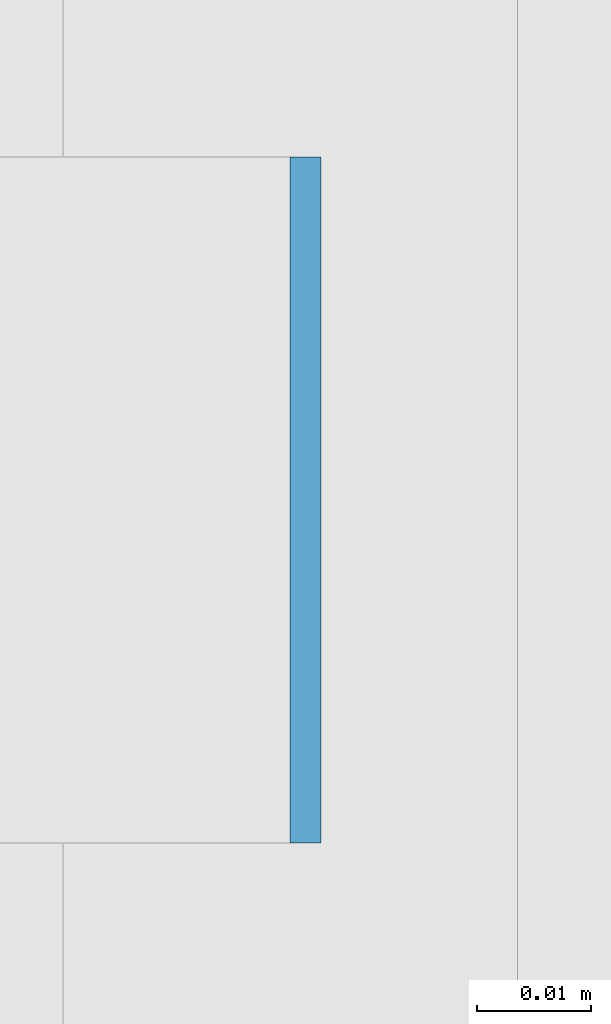
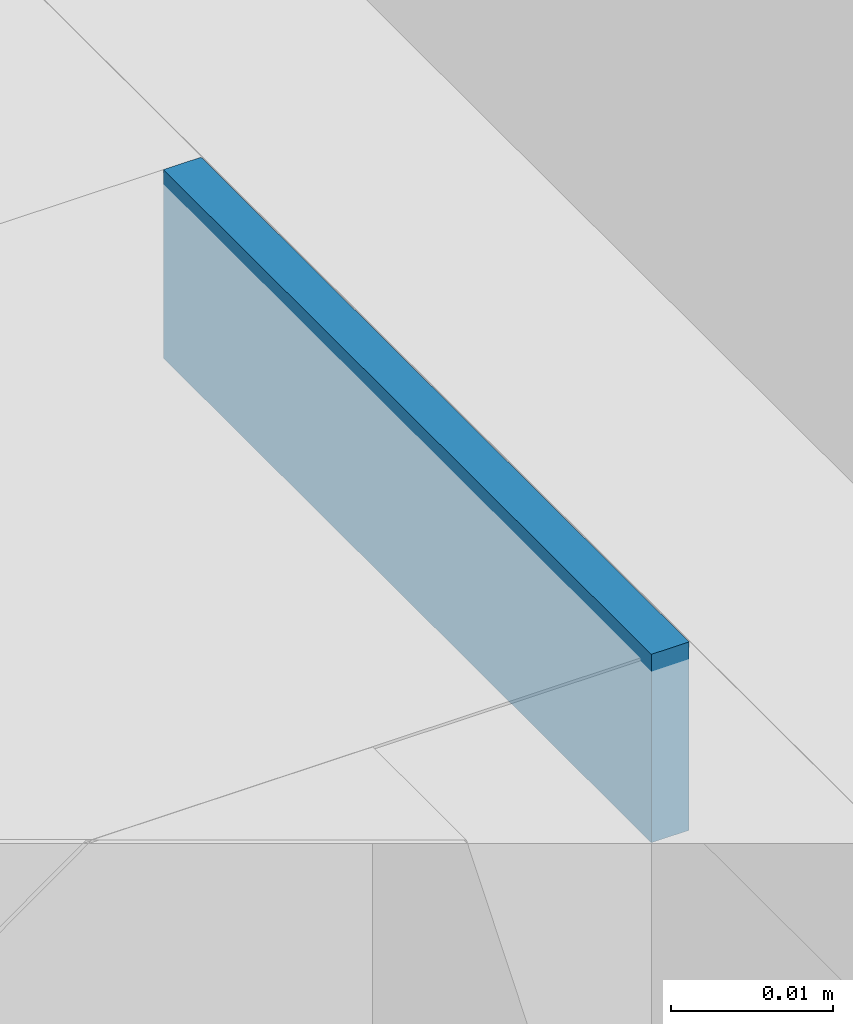
# One storey, part 409 of 646: 1 discrete accessory.
"""IFC4 building model written with IfcOpenShell, lengths in metres."""

import ifcopenshell
import ifcopenshell.guid

model = None  # the IFC model being written
_history = None  # IfcOwnerHistory: only IFC2X3 demands one
_inside = {}  # id of a spatial element -> (the spatial element, [elements in it])
_under = {}  # id of a project, library or spatial element -> (it, [spatial elements below it])
_declared = {}  # id of a project -> (the project, [libraries it declares])
_typed = {}  # id of a type object -> (the type object, [elements of that type])
_made_of = {}  # id of a material, layer set ... -> (it, [elements and type objects made of it])


def new_model(schema):
    """Start an empty IFC model of exactly this schema.

    Asked for "IFC4X3", IfcOpenShell would pick the latest addendum, in which some entities
    have other attributes; the version numbers below select the first issue.
    IFC2X3 requires an IfcOwnerHistory on every rooted entity: one is made here for all.
    """
    global model, _history
    if schema == "IFC4X3":
        model = ifcopenshell.file(schema_version=(4, 3, 0, 0))
    else:
        model = ifcopenshell.file(schema=schema)
    _inside.clear()
    _under.clear()
    _declared.clear()
    _typed.clear()
    _made_of.clear()
    _history = None
    if model.schema == "IFC2X3":
        org = make("IfcOrganization", Name="unknown")
        user = make(
            "IfcPersonAndOrganization",
            ThePerson=make("IfcPerson", FamilyName="unknown"),
            TheOrganization=org,
        )
        app = make(
            "IfcApplication",
            ApplicationDeveloper=org,
            Version="unknown",
            ApplicationFullName="unknown",
            ApplicationIdentifier="unknown",
        )
        _history = make(
            "IfcOwnerHistory",
            OwningUser=user,
            OwningApplication=app,
            ChangeAction="ADDED",
            CreationDate=0,
        )
    return model


def make(cls, **values):
    """One entity of the class cls with the attributes given. An attribute that is None is left unset."""
    return model.create_entity(
        cls, **{name: value for name, value in values.items() if value is not None}
    )


def rooted(cls, **values):
    """An entity with a GlobalId (a new one), such as an element, a storey or a relation."""
    return make(cls, GlobalId=ifcopenshell.guid.new(), OwnerHistory=_history, **values)


def si_unit(unit_type, name, prefix=None):
    """IfcSIUnit, for example si_unit("LENGTHUNIT", "METRE", prefix="MILLI")."""
    return make("IfcSIUnit", UnitType=unit_type, Prefix=prefix, Name=name)


def assignment(units):
    """IfcUnitAssignment: the units of a project."""
    return None if units is None else make("IfcUnitAssignment", Units=units)


def point(xyz):
    """IfcCartesianPoint."""
    return None if xyz is None else make("IfcCartesianPoint", Coordinates=xyz)


def direction(xyz):
    """IfcDirection."""
    return None if xyz is None else make("IfcDirection", DirectionRatios=xyz)


def frame(location, z_axis=None, x_axis=None):
    """IfcAxis2Placement3D, a coordinate frame: its origin and axes. An axis left out is left unset."""
    return make(
        "IfcAxis2Placement3D",
        Location=point(location),
        Axis=direction(z_axis),
        RefDirection=direction(x_axis),
    )


def frame_2d(location, x_axis=None):
    """IfcAxis2Placement2D, a coordinate frame in the plane: its origin and x axis."""
    return make(
        "IfcAxis2Placement2D", Location=point(location), RefDirection=direction(x_axis)
    )


def origin():
    """The frame at (0, 0, 0) with its axes left unset."""
    return frame((0.0, 0.0, 0.0))


def origin_2d():
    """The frame at (0, 0) in the plane with its x axis left unset."""
    return frame_2d((0.0, 0.0))


def place(relative_to, where):
    """IfcLocalPlacement: puts the frame where relative to a parent placement (None: the world)."""
    return make(
        "IfcLocalPlacement", PlacementRelTo=relative_to, RelativePlacement=where
    )


def context(
    kind, dimensions, precision=None, world=None, true_north=None, identifier=None
):
    """IfcGeometricRepresentationContext, for example the 3D "Model" context."""
    return make(
        "IfcGeometricRepresentationContext",
        ContextIdentifier=identifier,
        ContextType=kind,
        CoordinateSpaceDimension=dimensions,
        Precision=precision,
        WorldCoordinateSystem=world,
        TrueNorth=true_north,
    )


def subcontext(parent, identifier, kind, view, scale=None):
    """IfcGeometricRepresentationSubContext, for example "Body" below "Model"."""
    return make(
        "IfcGeometricRepresentationSubContext",
        ContextIdentifier=identifier,
        ContextType=kind,
        ParentContext=parent,
        TargetScale=scale,
        TargetView=view,
    )


def project(units=None, contexts=None):
    """IfcProject with its units and contexts."""
    return rooted(
        "IfcProject",
        Name="project",
        RepresentationContexts=contexts,
        UnitsInContext=assignment(units),
    )


def spatial(cls, under=None, at=None, **own):
    """A site, building, storey or space (cls), placed at a placement, below another one or the project."""
    s = rooted(cls, ObjectPlacement=at, **own)
    if under is not None:
        _under.setdefault(under.id(), (under, []))[1].append(s)
    return s


def profile(cls, at=None, kind="AREA", **sizes):
    """A parametric profile (cls). Its sizes go by their IFC names, for example OverallWidth=200.0."""
    return make(cls, ProfileType=kind, Position=at, **sizes)


def rectangle(**sizes):
    """IfcRectangleProfileDef."""
    return profile("IfcRectangleProfileDef", **sizes)


def extrude(swept, where, along, depth):
    """IfcExtrudedAreaSolid: the profile swept, set in the frame where, extruded along a direction by depth."""
    return make(
        "IfcExtrudedAreaSolid",
        SweptArea=swept,
        Position=where,
        ExtrudedDirection=direction(along),
        Depth=depth,
    )


def shape(context_of_items, identifier, shape_type, items):
    """IfcShapeRepresentation: the items that make up one representation, for example the "Body"."""
    return make(
        "IfcShapeRepresentation",
        ContextOfItems=context_of_items,
        RepresentationIdentifier=identifier,
        RepresentationType=shape_type,
        Items=items,
    )


def material(Name=None, Category=None):
    """IfcMaterial."""
    return make("IfcMaterial", Name=Name, Category=Category)


def made_of(thing, what):
    """Note that an element or type object is made of a material, layer set ...; save() writes the relation."""
    if what is not None:
        _made_of.setdefault(what.id(), (what, []))[1].append(thing)
    return thing


def type_object(cls, material=None, **own):
    """A type object (cls), such as IfcWallType, which elements share."""
    return made_of(rooted(cls, **own), material)


def element(
    cls,
    number,
    at=None,
    inside=None,
    cuts=None,
    type_object=None,
    material=None,
    context=None,
    identifier="Body",
    shape_type=None,
    held_by="IfcProductDefinitionShape",
    body=None,
    shapes=None,
    **own,
):
    """One element of the class cls, such as IfcWall. Its Tag is "e" and its number.

    at: its placement. inside: the storey or other place that contains it. cuts: it is an
    opening in that element (IfcRelVoidsElement). A single representation is given by context,
    identifier, shape_type and body (its items); several are given by shapes. held_by: the class
    of the entity that holds the representations. save() writes the other relations.
    """
    e = rooted(cls, Tag="e%d" % number, ObjectPlacement=at, **own)
    if body is not None:
        shapes = [shape(context, identifier, shape_type, body)]
    if shapes is not None:
        e.Representation = make(held_by, Representations=shapes)
    if inside is not None:
        _inside.setdefault(inside.id(), (inside, []))[1].append(e)
    if cuts is not None:
        rooted(
            "IfcRelVoidsElement", RelatingBuildingElement=cuts, RelatedOpeningElement=e
        )
    if type_object is not None:
        _typed.setdefault(type_object.id(), (type_object, []))[1].append(e)
    return made_of(e, material)


def aggregate(whole, parts):
    """IfcRelAggregates: a whole, such as a stair, and the parts it consists of."""
    return rooted("IfcRelAggregates", RelatingObject=whole, RelatedObjects=parts)


def save(model, path):
    """Write the relations noted so far, then the file.

    IfcRelAggregates (storeys below a building ...), IfcRelContainedInSpatialStructure (elements
    in a storey), IfcRelDefinesByType, IfcRelAssociatesMaterial and IfcRelDeclares: one each for
    every whole, place, type object, material and project.
    """
    for whole, parts in _under.values():
        aggregate(whole, parts)
    for where, things in _inside.values():
        rooted(
            "IfcRelContainedInSpatialStructure",
            RelatedElements=things,
            RelatingStructure=where,
        )
    for kind, things in _typed.values():
        rooted("IfcRelDefinesByType", RelatedObjects=things, RelatingType=kind)
    for what, things in _made_of.values():
        rooted("IfcRelAssociatesMaterial", RelatedObjects=things, RelatingMaterial=what)
    for by, libraries in _declared.values():
        rooted("IfcRelDeclares", RelatingContext=by, RelatedDefinitions=libraries)
    model.write(path)


model = new_model("IFC4")

# Units and contexts
model_context = context("Model", 3, precision=1e-05, world=origin(), true_north=direction((0.0, 1.0)))
body_context = subcontext(model_context, "Body", "Model", "MODEL_VIEW")
ifc_project = project(units=[si_unit("LENGTHUNIT", "METRE"), si_unit("AREAUNIT", "SQUARE_METRE"), si_unit("VOLUMEUNIT", "CUBIC_METRE"), si_unit("PLANEANGLEUNIT", "RADIAN"), si_unit("MASSUNIT", "GRAM", prefix="KILO")], contexts=[model_context])

# Site, building, storey
site_placement = place(None, origin())
site = spatial("IfcSite", under=ifc_project, at=site_placement, CompositionType="ELEMENT")
building_placement = place(site_placement, origin())
building = spatial("IfcBuilding", under=site, at=building_placement, Name="Silverbay Arena", CompositionType="ELEMENT")
storey_placement = place(building_placement, frame((0.0, 0.0, 33.5)))
storey = spatial("IfcBuildingStorey", under=building, at=storey_placement, Name="L05", CompositionType="ELEMENT", Elevation=33.5)

# Discrete accessory
ifc_material = material(Name="Steel S355", Category="steel")
discrete_accessory_type = type_object("IfcDiscreteAccessoryType", Name="Steel bracket plate", PredefinedType="BRACKET", material=ifc_material)
discrete_accessory_placement = place(storey_placement, frame((53.871337890625, 124.71435546875, 12.98583984375), z_axis=(0.0, 0.0, 1.0), x_axis=(1.0, 0.0, 0.0)))
element("IfcDiscreteAccessory", 1, at=discrete_accessory_placement, inside=storey, type_object=discrete_accessory_type, Name="Curtain wall packing plate", PredefinedType="BRACKET", context=body_context, shape_type="SweptSolid", body=[
    extrude(rectangle(XDim=0.002685546875, YDim=0.06005859375, at=origin_2d()), origin(), (0.0, 0.0, 1.0), 0.01416015625),
])

save(model, "model.ifc")
